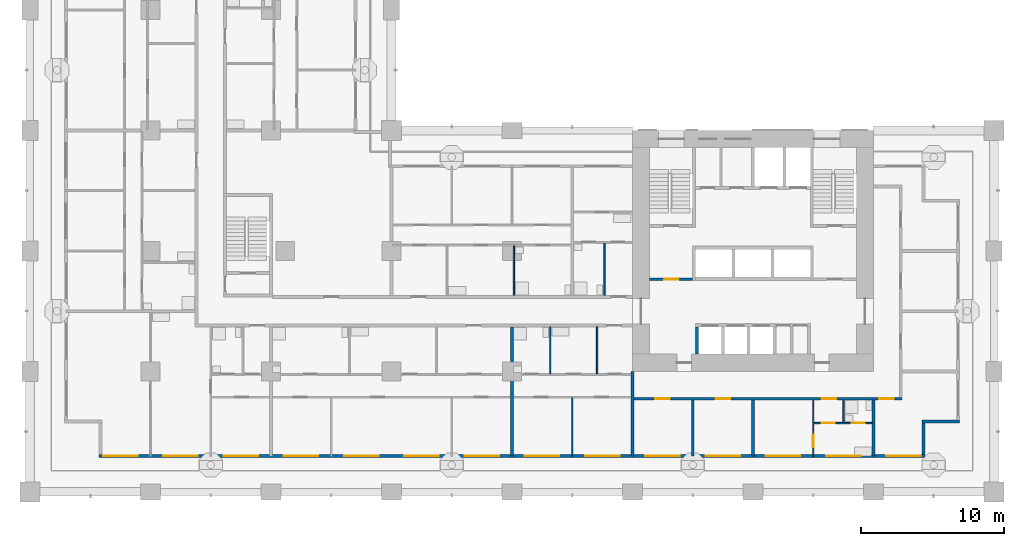
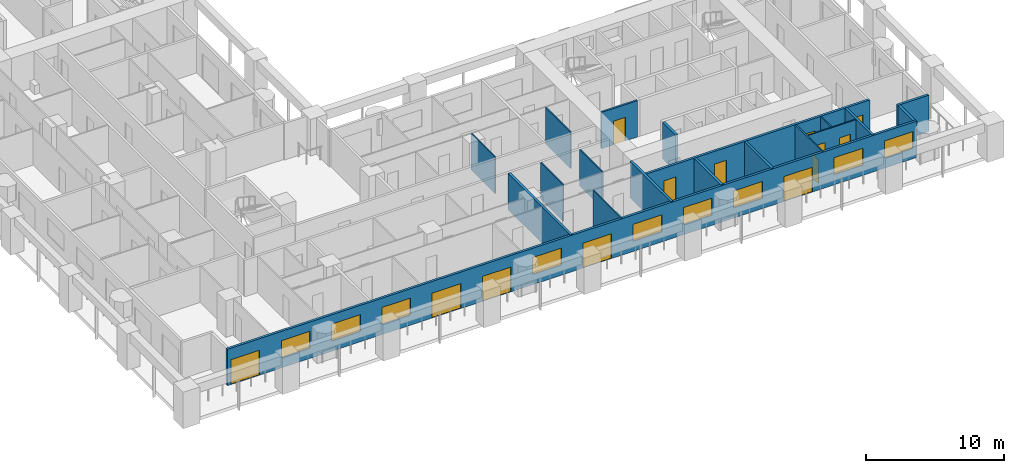
# One storey, part 5 of 20: 19 walls, 13 doors, 9 windows, 22 openings.
"""IFC4 building model written with IfcOpenShell, lengths in metres."""

from ifc_helpers import new_model, si_unit, direction, frame, frame_2d, origin, place, context, subcontext, project, spatial, rectangle, extrude, material, layer, layer_set, type_object, element, fill, save


model = new_model("IFC4")

# Units and contexts
model_context = context("Model", 3, precision=1e-05, world=origin(), true_north=direction((0.0, 1.0)))
body_context = subcontext(model_context, "Body", "Model", "MODEL_VIEW")
ifc_project = project(units=[si_unit("LENGTHUNIT", "METRE"), si_unit("AREAUNIT", "SQUARE_METRE"), si_unit("VOLUMEUNIT", "CUBIC_METRE"), si_unit("PLANEANGLEUNIT", "RADIAN"), si_unit("MASSUNIT", "GRAM", prefix="KILO")], contexts=[model_context])

# Site, building, storey
site_placement = place(None, origin())
site = spatial("IfcSite", under=ifc_project, at=site_placement, CompositionType="ELEMENT")
building_placement = place(site_placement, origin())
building = spatial("IfcBuilding", under=site, at=building_placement, Name="Vermilion Gate Residences", CompositionType="ELEMENT")
storey_placement = place(building_placement, frame((0.0, 0.0, 42.699951171875)))
storey = spatial("IfcBuildingStorey", under=building, at=storey_placement, Name="L09", CompositionType="ELEMENT", Elevation=42.699951171875)

# Wall, opening, door
ifc_material_1 = material(Name="Masonry blockwork", Category="masonry")
ifc_layer_1 = layer(ifc_material_1, 0.14990234375)
ifc_layer_set_1 = layer_set([ifc_layer_1], Name="BLOCKWORK PARTITION 150 EI 120")
wall_type_1 = type_object("IfcWallType", Name="BLOCKWORK PARTITION 150 EI 120", PredefinedType="PARTITIONING", material=ifc_layer_set_1)
wall_1_placement = place(storey_placement, frame((43.199951171875, 14.824951171875, 0.0), z_axis=(0.0, 0.0, 1.0), x_axis=(1.0, 0.0, 0.0)))
wall_1 = element("IfcWall", 1, at=wall_1_placement, inside=storey, type_object=wall_type_1, Name="Core room partition A09-VW-S", PredefinedType="PARTITIONING", context=body_context, shape_type="SweptSolid", body=[
    extrude(rectangle(XDim=3.0, YDim=0.14990234375, at=frame_2d((1.5, 0.0))), origin(), (0.0, 0.0, 1.0), 3.219970703125),
])
opening_1_placement = place(wall_1_placement, frame((1.0, 0.0, 0.0)))
opening_1 = element("IfcOpeningElement", 2, at=opening_1_placement, cuts=wall_1, Name="Opening DK09014", PredefinedType="OPENING", context=body_context, shape_type="SweptSolid", body=[
    extrude(rectangle(XDim=1.0, YDim=2.10009765625, at=frame_2d((0.5, 1.050048828125))), frame((0.0, 0.0849609375, 0.0), z_axis=(0.0, -1.0, 0.0), x_axis=(1.0, 0.0, 0.0)), (0.0, 0.0, 1.0), 0.169921875),
])
ifc_material_2 = material(Name="Steel", Category="steel")
door_type_1 = type_object("IfcDoorType", Name="FIRE DOOR FD60 1000 X 2100", OperationType="SINGLE_SWING_LEFT", PredefinedType="DOOR", material=ifc_material_2)
door_1_placement = place(opening_1_placement, frame((1.0, 0.0, 0.0), z_axis=(0.0, 0.0, 1.0), x_axis=(-1.0, 0.0, 0.0)))
door_1 = element("IfcDoor", 3, at=door_1_placement, inside=storey, type_object=door_type_1, Name="Stair vestibule door A09", OperationType="SINGLE_SWING_RIGHT", OverallHeight=2.10009765625, OverallWidth=1.0, PredefinedType="DOOR", context=body_context, shape_type="SweptSolid", body=[
    extrude(rectangle(XDim=1.0, YDim=2.10009765625, at=frame_2d((0.5, 1.050048828125))), frame((0.0, 0.02490234375, 0.0), z_axis=(0.0, -1.0, 0.0), x_axis=(1.0, 0.0, 0.0)), (0.0, 0.0, 1.0), 0.050048828125),
])
fill(opening_1, door_1)

# Wall, openings, doors, windows
ifc_material_3 = material(Name="Insulated steel stud wall with terracotta rainscreen", Category="masonry")
ifc_layer_2 = layer(ifc_material_3, 0.199951171875)
ifc_layer_set_2 = layer_set([ifc_layer_2], Name="EXTERNAL WALL 200 TERRACOTTA RAINSCREEN")
wall_type_2 = type_object("IfcWallType", Name="EXTERNAL WALL 200 TERRACOTTA RAINSCREEN", PredefinedType="SOLIDWALL", material=ifc_layer_set_2)
wall_2_placement = place(storey_placement, frame((4.800048828125, 2.5, 0.0), z_axis=(0.0, 0.0, 1.0), x_axis=(1.0, 0.0, 0.0)))
wall_2 = element("IfcWall", 4, at=wall_2_placement, inside=storey, type_object=wall_type_2, Name="External wall", PredefinedType="SOLIDWALL", context=body_context, shape_type="SweptSolid", body=[
    extrude(rectangle(XDim=57.599853515625, YDim=0.199951171875, at=frame_2d((28.7998046875, 0.0))), origin(), (0.0, 0.0, 1.0), 3.219970703125),
])
opening_2_placement = place(wall_2_placement, frame((0.300048828125, 0.0, 0.0)))
opening_2 = element("IfcOpeningElement", 5, at=opening_2_placement, cuts=wall_2, Name="Opening DE09014", PredefinedType="OPENING", context=body_context, shape_type="SweptSolid", body=[
    extrude(rectangle(XDim=2.39990234375, YDim=2.199951171875, at=frame_2d((1.199951171875, 1.10009765625))), frame((0.0, 0.10986328125, 0.0), z_axis=(0.0, -1.0, 0.0), x_axis=(1.0, 0.0, 0.0)), (0.0, 0.0, 1.0), 0.219970703125),
])
opening_3_placement = place(wall_2_placement, frame((4.5, 0.0, 0.89990234375)))
opening_3 = element("IfcOpeningElement", 6, at=opening_3_placement, cuts=wall_2, Name="Opening WE09015", PredefinedType="OPENING", context=body_context, shape_type="SweptSolid", body=[
    extrude(rectangle(XDim=2.39990234375, YDim=1.5, at=frame_2d((1.199951171875, 0.75))), frame((0.0, 0.10986328125, 0.0), z_axis=(0.0, -1.0, 0.0), x_axis=(1.0, 0.0, 0.0)), (0.0, 0.0, 1.0), 0.219970703125),
])
opening_4_placement = place(wall_2_placement, frame((8.699951171875, 0.0, 0.89990234375)))
opening_4 = element("IfcOpeningElement", 7, at=opening_4_placement, cuts=wall_2, Name="Opening WE09016", PredefinedType="OPENING", context=body_context, shape_type="SweptSolid", body=[
    extrude(rectangle(XDim=2.39990234375, YDim=1.5, at=frame_2d((1.199951171875, 0.75))), frame((0.0, 0.10986328125, 0.0), z_axis=(0.0, -1.0, 0.0), x_axis=(1.0, 0.0, 0.0)), (0.0, 0.0, 1.0), 0.219970703125),
])
opening_5_placement = place(wall_2_placement, frame((12.89990234375, 0.0, 0.89990234375)))
opening_5 = element("IfcOpeningElement", 8, at=opening_5_placement, cuts=wall_2, Name="Opening WE09017", PredefinedType="OPENING", context=body_context, shape_type="SweptSolid", body=[
    extrude(rectangle(XDim=2.39990234375, YDim=1.5, at=frame_2d((1.199951171875, 0.75))), frame((0.0, 0.10986328125, 0.0), z_axis=(0.0, -1.0, 0.0), x_axis=(1.0, 0.0, 0.0)), (0.0, 0.0, 1.0), 0.219970703125),
])
opening_6_placement = place(wall_2_placement, frame((17.10009765625, 0.0, 0.0)))
opening_6 = element("IfcOpeningElement", 9, at=opening_6_placement, cuts=wall_2, Name="Opening DE09018", PredefinedType="OPENING", context=body_context, shape_type="SweptSolid", body=[
    extrude(rectangle(XDim=2.39990234375, YDim=2.199951171875, at=frame_2d((1.199951171875, 1.10009765625))), frame((0.0, 0.10986328125, 0.0), z_axis=(0.0, -1.0, 0.0), x_axis=(1.0, 0.0, 0.0)), (0.0, 0.0, 1.0), 0.219970703125),
])
opening_7_placement = place(wall_2_placement, frame((21.300048828125, 0.0, 0.0)))
opening_7 = element("IfcOpeningElement", 10, at=opening_7_placement, cuts=wall_2, Name="Opening DE09019", PredefinedType="OPENING", context=body_context, shape_type="SweptSolid", body=[
    extrude(rectangle(XDim=2.39990234375, YDim=2.199951171875, at=frame_2d((1.199951171875, 1.10009765625))), frame((0.0, 0.10986328125, 0.0), z_axis=(0.0, -1.0, 0.0), x_axis=(1.0, 0.0, 0.0)), (0.0, 0.0, 1.0), 0.219970703125),
])
opening_8_placement = place(wall_2_placement, frame((25.5, 0.0, 0.89990234375)))
opening_8 = element("IfcOpeningElement", 11, at=opening_8_placement, cuts=wall_2, Name="Opening WE09020", PredefinedType="OPENING", context=body_context, shape_type="SweptSolid", body=[
    extrude(rectangle(XDim=2.39990234375, YDim=1.5, at=frame_2d((1.199951171875, 0.75))), frame((0.0, 0.10986328125, 0.0), z_axis=(0.0, -1.0, 0.0), x_axis=(1.0, 0.0, 0.0)), (0.0, 0.0, 1.0), 0.219970703125),
])
opening_9_placement = place(wall_2_placement, frame((29.699951171875, 0.0, 0.0)))
opening_9 = element("IfcOpeningElement", 12, at=opening_9_placement, cuts=wall_2, Name="Opening DE09021", PredefinedType="OPENING", context=body_context, shape_type="SweptSolid", body=[
    extrude(rectangle(XDim=2.39990234375, YDim=2.199951171875, at=frame_2d((1.199951171875, 1.10009765625))), frame((0.0, 0.10986328125, 0.0), z_axis=(0.0, -1.0, 0.0), x_axis=(1.0, 0.0, 0.0)), (0.0, 0.0, 1.0), 0.219970703125),
])
opening_10_placement = place(wall_2_placement, frame((33.89990234375, 0.0, 0.89990234375)))
opening_10 = element("IfcOpeningElement", 13, at=opening_10_placement, cuts=wall_2, Name="Opening WE09022", PredefinedType="OPENING", context=body_context, shape_type="SweptSolid", body=[
    extrude(rectangle(XDim=2.39990234375, YDim=1.5, at=frame_2d((1.199951171875, 0.75))), frame((0.0, 0.10986328125, 0.0), z_axis=(0.0, -1.0, 0.0), x_axis=(1.0, 0.0, 0.0)), (0.0, 0.0, 1.0), 0.219970703125),
])
opening_11_placement = place(wall_2_placement, frame((38.10009765625, 0.0, 0.89990234375)))
opening_11 = element("IfcOpeningElement", 14, at=opening_11_placement, cuts=wall_2, Name="Opening WE09023", PredefinedType="OPENING", context=body_context, shape_type="SweptSolid", body=[
    extrude(rectangle(XDim=2.39990234375, YDim=1.5, at=frame_2d((1.199951171875, 0.75))), frame((0.0, 0.10986328125, 0.0), z_axis=(0.0, -1.0, 0.0), x_axis=(1.0, 0.0, 0.0)), (0.0, 0.0, 1.0), 0.219970703125),
])
opening_12_placement = place(wall_2_placement, frame((42.300048828125, 0.0, 0.89990234375)))
opening_12 = element("IfcOpeningElement", 15, at=opening_12_placement, cuts=wall_2, Name="Opening WE09024", PredefinedType="OPENING", context=body_context, shape_type="SweptSolid", body=[
    extrude(rectangle(XDim=2.39990234375, YDim=1.5, at=frame_2d((1.199951171875, 0.75))), frame((0.0, 0.10986328125, 0.0), z_axis=(0.0, -1.0, 0.0), x_axis=(1.0, 0.0, 0.0)), (0.0, 0.0, 1.0), 0.219970703125),
])
opening_13_placement = place(wall_2_placement, frame((46.5, 0.0, 0.0)))
opening_13 = element("IfcOpeningElement", 16, at=opening_13_placement, cuts=wall_2, Name="Opening DE09025", PredefinedType="OPENING", context=body_context, shape_type="SweptSolid", body=[
    extrude(rectangle(XDim=2.39990234375, YDim=2.199951171875, at=frame_2d((1.199951171875, 1.10009765625))), frame((0.0, 0.10986328125, 0.0), z_axis=(0.0, -1.0, 0.0), x_axis=(1.0, 0.0, 0.0)), (0.0, 0.0, 1.0), 0.219970703125),
])
opening_14_placement = place(wall_2_placement, frame((50.699951171875, 0.0, 0.89990234375)))
opening_14 = element("IfcOpeningElement", 17, at=opening_14_placement, cuts=wall_2, Name="Opening WE09026", PredefinedType="OPENING", context=body_context, shape_type="SweptSolid", body=[
    extrude(rectangle(XDim=2.39990234375, YDim=1.5, at=frame_2d((1.199951171875, 0.75))), frame((0.0, 0.10986328125, 0.0), z_axis=(0.0, -1.0, 0.0), x_axis=(1.0, 0.0, 0.0)), (0.0, 0.0, 1.0), 0.219970703125),
])
opening_15_placement = place(wall_2_placement, frame((54.89990234375, 0.0, 0.89990234375)))
opening_15 = element("IfcOpeningElement", 18, at=opening_15_placement, cuts=wall_2, Name="Opening WE09027", PredefinedType="OPENING", context=body_context, shape_type="SweptSolid", body=[
    extrude(rectangle(XDim=2.39990234375, YDim=1.5, at=frame_2d((1.199951171875, 0.75))), frame((0.0, 0.10986328125, 0.0), z_axis=(0.0, -1.0, 0.0), x_axis=(1.0, 0.0, 0.0)), (0.0, 0.0, 1.0), 0.219970703125),
])
ifc_material_4 = material(Name="Aluminium and clear glass", Category="aluminium")
door_type_2 = type_object("IfcDoorType", Name="SLIDING GLAZED DOOR 2400 X 2200", OperationType="DOUBLE_DOOR_SLIDING", PredefinedType="DOOR", material=ifc_material_4)
door_2_placement = place(opening_2_placement, origin())
door_2 = element("IfcDoor", 19, at=door_2_placement, inside=storey, type_object=door_type_2, Name="Loggia sliding door", OperationType="DOUBLE_DOOR_SLIDING", OverallHeight=2.199951171875, OverallWidth=2.39990234375, PredefinedType="DOOR", context=body_context, shape_type="SweptSolid", body=[
    extrude(rectangle(XDim=2.39990234375, YDim=2.199951171875, at=frame_2d((1.199951171875, 1.10009765625))), frame((0.0, 0.02490234375, 0.0), z_axis=(0.0, -1.0, 0.0), x_axis=(1.0, 0.0, 0.0)), (0.0, 0.0, 1.0), 0.050048828125),
])
fill(opening_2, door_2)
door_3_placement = place(opening_6_placement, origin())
door_3 = element("IfcDoor", 20, at=door_3_placement, inside=storey, type_object=door_type_2, Name="Loggia sliding door", OperationType="DOUBLE_DOOR_SLIDING", OverallHeight=2.199951171875, OverallWidth=2.39990234375, PredefinedType="DOOR", context=body_context, shape_type="SweptSolid", body=[
    extrude(rectangle(XDim=2.39990234375, YDim=2.199951171875, at=frame_2d((1.199951171875, 1.10009765625))), frame((0.0, 0.02490234375, 0.0), z_axis=(0.0, -1.0, 0.0), x_axis=(1.0, 0.0, 0.0)), (0.0, 0.0, 1.0), 0.050048828125),
])
fill(opening_6, door_3)
door_4_placement = place(opening_7_placement, origin())
door_4 = element("IfcDoor", 21, at=door_4_placement, inside=storey, type_object=door_type_2, Name="Loggia sliding door", OperationType="DOUBLE_DOOR_SLIDING", OverallHeight=2.199951171875, OverallWidth=2.39990234375, PredefinedType="DOOR", context=body_context, shape_type="SweptSolid", body=[
    extrude(rectangle(XDim=2.39990234375, YDim=2.199951171875, at=frame_2d((1.199951171875, 1.10009765625))), frame((0.0, 0.02490234375, 0.0), z_axis=(0.0, -1.0, 0.0), x_axis=(1.0, 0.0, 0.0)), (0.0, 0.0, 1.0), 0.050048828125),
])
fill(opening_7, door_4)
door_5_placement = place(opening_9_placement, origin())
door_5 = element("IfcDoor", 22, at=door_5_placement, inside=storey, type_object=door_type_2, Name="Loggia sliding door", OperationType="DOUBLE_DOOR_SLIDING", OverallHeight=2.199951171875, OverallWidth=2.39990234375, PredefinedType="DOOR", context=body_context, shape_type="SweptSolid", body=[
    extrude(rectangle(XDim=2.39990234375, YDim=2.199951171875, at=frame_2d((1.199951171875, 1.10009765625))), frame((0.0, 0.02490234375, 0.0), z_axis=(0.0, -1.0, 0.0), x_axis=(1.0, 0.0, 0.0)), (0.0, 0.0, 1.0), 0.050048828125),
])
fill(opening_9, door_5)
door_6_placement = place(opening_13_placement, origin())
door_6 = element("IfcDoor", 23, at=door_6_placement, inside=storey, type_object=door_type_2, Name="Loggia sliding door", OperationType="DOUBLE_DOOR_SLIDING", OverallHeight=2.199951171875, OverallWidth=2.39990234375, PredefinedType="DOOR", context=body_context, shape_type="SweptSolid", body=[
    extrude(rectangle(XDim=2.39990234375, YDim=2.199951171875, at=frame_2d((1.199951171875, 1.10009765625))), frame((0.0, 0.02490234375, 0.0), z_axis=(0.0, -1.0, 0.0), x_axis=(1.0, 0.0, 0.0)), (0.0, 0.0, 1.0), 0.050048828125),
])
fill(opening_13, door_6)
ifc_material_5 = material(Name="Aluminium and clear glass", Category="aluminium")
window_type = type_object("IfcWindowType", Name="WINDOW 2400 X 1500", PartitioningType="SINGLE_PANEL", PredefinedType="WINDOW", material=ifc_material_5)
window_1_placement = place(opening_3_placement, origin())
window_1 = element("IfcWindow", 24, at=window_1_placement, inside=storey, type_object=window_type, Name="Window", OverallHeight=1.5, OverallWidth=2.39990234375, PartitioningType="SINGLE_PANEL", PredefinedType="WINDOW", context=body_context, shape_type="SweptSolid", body=[
    extrude(rectangle(XDim=2.39990234375, YDim=1.5, at=frame_2d((1.199951171875, 0.75))), frame((0.0, 0.030029296875, 0.0), z_axis=(0.0, -1.0, 0.0), x_axis=(1.0, 0.0, 0.0)), (0.0, 0.0, 1.0), 0.06005859375),
])
fill(opening_3, window_1)
window_2_placement = place(opening_4_placement, origin())
window_2 = element("IfcWindow", 25, at=window_2_placement, inside=storey, type_object=window_type, Name="Window", OverallHeight=1.5, OverallWidth=2.39990234375, PartitioningType="SINGLE_PANEL", PredefinedType="WINDOW", context=body_context, shape_type="SweptSolid", body=[
    extrude(rectangle(XDim=2.39990234375, YDim=1.5, at=frame_2d((1.199951171875, 0.75))), frame((0.0, 0.030029296875, 0.0), z_axis=(0.0, -1.0, 0.0), x_axis=(1.0, 0.0, 0.0)), (0.0, 0.0, 1.0), 0.06005859375),
])
fill(opening_4, window_2)
window_3_placement = place(opening_5_placement, origin())
window_3 = element("IfcWindow", 26, at=window_3_placement, inside=storey, type_object=window_type, Name="Window", OverallHeight=1.5, OverallWidth=2.39990234375, PartitioningType="SINGLE_PANEL", PredefinedType="WINDOW", context=body_context, shape_type="SweptSolid", body=[
    extrude(rectangle(XDim=2.39990234375, YDim=1.5, at=frame_2d((1.199951171875, 0.75))), frame((0.0, 0.030029296875, 0.0), z_axis=(0.0, -1.0, 0.0), x_axis=(1.0, 0.0, 0.0)), (0.0, 0.0, 1.0), 0.06005859375),
])
fill(opening_5, window_3)
window_4_placement = place(opening_8_placement, origin())
window_4 = element("IfcWindow", 27, at=window_4_placement, inside=storey, type_object=window_type, Name="Window", OverallHeight=1.5, OverallWidth=2.39990234375, PartitioningType="SINGLE_PANEL", PredefinedType="WINDOW", context=body_context, shape_type="SweptSolid", body=[
    extrude(rectangle(XDim=2.39990234375, YDim=1.5, at=frame_2d((1.199951171875, 0.75))), frame((0.0, 0.030029296875, 0.0), z_axis=(0.0, -1.0, 0.0), x_axis=(1.0, 0.0, 0.0)), (0.0, 0.0, 1.0), 0.06005859375),
])
fill(opening_8, window_4)
window_5_placement = place(opening_10_placement, origin())
window_5 = element("IfcWindow", 28, at=window_5_placement, inside=storey, type_object=window_type, Name="Window", OverallHeight=1.5, OverallWidth=2.39990234375, PartitioningType="SINGLE_PANEL", PredefinedType="WINDOW", context=body_context, shape_type="SweptSolid", body=[
    extrude(rectangle(XDim=2.39990234375, YDim=1.5, at=frame_2d((1.199951171875, 0.75))), frame((0.0, 0.030029296875, 0.0), z_axis=(0.0, -1.0, 0.0), x_axis=(1.0, 0.0, 0.0)), (0.0, 0.0, 1.0), 0.06005859375),
])
fill(opening_10, window_5)
window_6_placement = place(opening_11_placement, origin())
window_6 = element("IfcWindow", 29, at=window_6_placement, inside=storey, type_object=window_type, Name="Window", OverallHeight=1.5, OverallWidth=2.39990234375, PartitioningType="SINGLE_PANEL", PredefinedType="WINDOW", context=body_context, shape_type="SweptSolid", body=[
    extrude(rectangle(XDim=2.39990234375, YDim=1.5, at=frame_2d((1.199951171875, 0.75))), frame((0.0, 0.030029296875, 0.0), z_axis=(0.0, -1.0, 0.0), x_axis=(1.0, 0.0, 0.0)), (0.0, 0.0, 1.0), 0.06005859375),
])
fill(opening_11, window_6)
window_7_placement = place(opening_12_placement, origin())
window_7 = element("IfcWindow", 30, at=window_7_placement, inside=storey, type_object=window_type, Name="Window", OverallHeight=1.5, OverallWidth=2.39990234375, PartitioningType="SINGLE_PANEL", PredefinedType="WINDOW", context=body_context, shape_type="SweptSolid", body=[
    extrude(rectangle(XDim=2.39990234375, YDim=1.5, at=frame_2d((1.199951171875, 0.75))), frame((0.0, 0.030029296875, 0.0), z_axis=(0.0, -1.0, 0.0), x_axis=(1.0, 0.0, 0.0)), (0.0, 0.0, 1.0), 0.06005859375),
])
fill(opening_12, window_7)
window_8_placement = place(opening_14_placement, origin())
window_8 = element("IfcWindow", 31, at=window_8_placement, inside=storey, type_object=window_type, Name="Window", OverallHeight=1.5, OverallWidth=2.39990234375, PartitioningType="SINGLE_PANEL", PredefinedType="WINDOW", context=body_context, shape_type="SweptSolid", body=[
    extrude(rectangle(XDim=2.39990234375, YDim=1.5, at=frame_2d((1.199951171875, 0.75))), frame((0.0, 0.030029296875, 0.0), z_axis=(0.0, -1.0, 0.0), x_axis=(1.0, 0.0, 0.0)), (0.0, 0.0, 1.0), 0.06005859375),
])
fill(opening_14, window_8)
window_9_placement = place(opening_15_placement, origin())
window_9 = element("IfcWindow", 32, at=window_9_placement, inside=storey, type_object=window_type, Name="Window", OverallHeight=1.5, OverallWidth=2.39990234375, PartitioningType="SINGLE_PANEL", PredefinedType="WINDOW", context=body_context, shape_type="SweptSolid", body=[
    extrude(rectangle(XDim=2.39990234375, YDim=1.5, at=frame_2d((1.199951171875, 0.75))), frame((0.0, 0.030029296875, 0.0), z_axis=(0.0, -1.0, 0.0), x_axis=(1.0, 0.0, 0.0)), (0.0, 0.0, 1.0), 0.06005859375),
])
fill(opening_15, window_9)

# Walls
wall_3_placement = place(storey_placement, frame((62.300048828125, 2.60009765625, 0.0), z_axis=(0.0, 0.0, 1.0), x_axis=(0.0, 1.0, 0.0)))
element("IfcWall", 33, at=wall_3_placement, inside=storey, type_object=wall_type_2, Name="External wall", PredefinedType="SOLIDWALL", context=body_context, shape_type="SweptSolid", body=[
    extrude(rectangle(XDim=2.199951171875, YDim=0.199951171875, at=frame_2d((1.10009765625, 0.0))), origin(), (0.0, 0.0, 1.0), 3.219970703125),
])
wall_4_placement = place(storey_placement, frame((62.199951171875, 4.89990234375, 0.0), z_axis=(0.0, 0.0, 1.0), x_axis=(1.0, 0.0, 0.0)))
element("IfcWall", 34, at=wall_4_placement, inside=storey, type_object=wall_type_2, Name="External wall", PredefinedType="SOLIDWALL", context=body_context, shape_type="SweptSolid", body=[
    extrude(rectangle(XDim=2.60009765625, YDim=0.199951171875, at=frame_2d((1.300048828125, 0.0))), origin(), (0.0, 0.0, 1.0), 3.219970703125),
])

# Wall, openings, doors
ifc_material_6 = material(Name="Plasterboard on steel studs", Category="steel")
ifc_layer_3 = layer(ifc_material_6, 0.10009765625)
ifc_layer_set_3 = layer_set([ifc_layer_3], Name="PARTITION 100")
wall_type_3 = type_object("IfcWallType", Name="PARTITION 100", PredefinedType="PARTITIONING", material=ifc_layer_set_3)
wall_5_placement = place(storey_placement, frame((54.64990234375, 4.800048828125, 0.0), z_axis=(0.0, 0.0, 1.0), x_axis=(1.0, 0.0, 0.0)))
wall_5 = element("IfcWall", 35, at=wall_5_placement, inside=storey, type_object=wall_type_3, Name="Partition", PredefinedType="PARTITIONING", context=body_context, shape_type="SweptSolid", body=[
    extrude(rectangle(XDim=4.050048828125, YDim=0.10009765625, at=frame_2d((2.02490234375, 0.0))), origin(), (0.0, 0.0, 1.0), 3.219970703125),
])
opening_16_placement = place(wall_5_placement, frame((0.550048828125, 0.0, 0.0)))
opening_16 = element("IfcOpeningElement", 36, at=opening_16_placement, cuts=wall_5, Name="Opening DA07001", PredefinedType="OPENING", context=body_context, shape_type="SweptSolid", body=[
    extrude(rectangle(XDim=0.89990234375, YDim=2.10009765625, at=frame_2d((0.449951171875, 1.050048828125))), frame((0.0, 0.06005859375, 0.0), z_axis=(0.0, -1.0, 0.0), x_axis=(1.0, 0.0, 0.0)), (0.0, 0.0, 1.0), 0.1201171875),
])
opening_17_placement = place(wall_5_placement, frame((2.64990234375, 0.0, 0.0)))
opening_17 = element("IfcOpeningElement", 37, at=opening_17_placement, cuts=wall_5, Name="Opening DA07002", PredefinedType="OPENING", context=body_context, shape_type="SweptSolid", body=[
    extrude(rectangle(XDim=0.89990234375, YDim=2.10009765625, at=frame_2d((0.449951171875, 1.050048828125))), frame((0.0, 0.06005859375, 0.0), z_axis=(0.0, -1.0, 0.0), x_axis=(1.0, 0.0, 0.0)), (0.0, 0.0, 1.0), 0.1201171875),
])
ifc_material_7 = material(Name="Timber", Category="wood")
door_type_3 = type_object("IfcDoorType", Name="INTERIOR DOOR 900 X 2100", OperationType="SINGLE_SWING_LEFT", PredefinedType="DOOR", material=ifc_material_7)
door_7_placement = place(opening_16_placement, frame((0.89990234375, 0.0, 0.0), z_axis=(0.0, 0.0, 1.0), x_axis=(-1.0, 0.0, 0.0)))
door_7 = element("IfcDoor", 38, at=door_7_placement, inside=storey, type_object=door_type_3, Name="Interior door", OperationType="SINGLE_SWING_RIGHT", OverallHeight=2.10009765625, OverallWidth=0.89990234375, PredefinedType="DOOR", context=body_context, shape_type="SweptSolid", body=[
    extrude(rectangle(XDim=0.89990234375, YDim=2.10009765625, at=frame_2d((0.449951171875, 1.050048828125))), frame((0.0, 0.02490234375, 0.0), z_axis=(0.0, -1.0, 0.0), x_axis=(1.0, 0.0, 0.0)), (0.0, 0.0, 1.0), 0.050048828125),
])
fill(opening_16, door_7)
door_8_placement = place(opening_17_placement, origin())
door_8 = element("IfcDoor", 39, at=door_8_placement, inside=storey, type_object=door_type_3, Name="Interior door", OperationType="SINGLE_SWING_RIGHT", OverallHeight=2.10009765625, OverallWidth=0.89990234375, PredefinedType="DOOR", context=body_context, shape_type="SweptSolid", body=[
    extrude(rectangle(XDim=0.89990234375, YDim=2.10009765625, at=frame_2d((0.449951171875, 1.050048828125))), frame((0.0, 0.02490234375, 0.0), z_axis=(0.0, -1.0, 0.0), x_axis=(1.0, 0.0, 0.0)), (0.0, 0.0, 1.0), 0.050048828125),
])
fill(opening_17, door_8)

# Walls
wall_6_placement = place(storey_placement, frame((33.73291015625, 13.699951171875, 0.0), z_axis=(0.0, 0.0, 1.0), x_axis=(0.0, 1.0, 0.0)))
element("IfcWall", 40, at=wall_6_placement, inside=storey, type_object=wall_type_3, Name="Partition", PredefinedType="PARTITIONING", context=body_context, shape_type="SweptSolid", body=[
    extrude(rectangle(XDim=3.449951171875, YDim=0.10009765625, at=frame_2d((1.72509765625, 0.0))), origin(), (0.0, 0.0, 1.0), 3.219970703125),
])
wall_7_placement = place(storey_placement, frame((36.26708984375, 8.25, 0.0), z_axis=(0.0, 0.0, 1.0), x_axis=(0.0, 1.0, 0.0)))
element("IfcWall", 41, at=wall_7_placement, inside=storey, type_object=wall_type_3, Name="Partition", PredefinedType="PARTITIONING", context=body_context, shape_type="SweptSolid", body=[
    extrude(rectangle(XDim=3.25, YDim=0.10009765625, at=frame_2d((1.625, 0.0))), origin(), (0.0, 0.0, 1.0), 3.219970703125),
])
wall_8_placement = place(storey_placement, frame((37.800048828125, 2.5, 0.0), z_axis=(0.0, 0.0, 1.0), x_axis=(0.0, 1.0, 0.0)))
element("IfcWall", 42, at=wall_8_placement, inside=storey, type_object=wall_type_3, Name="Partition", PredefinedType="PARTITIONING", context=body_context, shape_type="SweptSolid", body=[
    extrude(rectangle(XDim=4.050048828125, YDim=0.10009765625, at=frame_2d((2.02490234375, 0.0))), origin(), (0.0, 0.0, 1.0), 3.219970703125),
])
wall_9_placement = place(storey_placement, frame((39.532958984375, 8.25, 0.0), z_axis=(0.0, 0.0, 1.0), x_axis=(0.0, 1.0, 0.0)))
element("IfcWall", 43, at=wall_9_placement, inside=storey, type_object=wall_type_3, Name="Partition", PredefinedType="PARTITIONING", context=body_context, shape_type="SweptSolid", body=[
    extrude(rectangle(XDim=3.25, YDim=0.10009765625, at=frame_2d((1.625, 0.0))), origin(), (0.0, 0.0, 1.0), 3.219970703125),
])
wall_10_placement = place(storey_placement, frame((40.0400390625, 13.699951171875, 0.0), z_axis=(0.0, 0.0, 1.0), x_axis=(0.0, 1.0, 0.0)))
element("IfcWall", 44, at=wall_10_placement, inside=storey, type_object=wall_type_3, Name="Partition", PredefinedType="PARTITIONING", context=body_context, shape_type="SweptSolid", body=[
    extrude(rectangle(XDim=3.650146484375, YDim=0.10009765625, at=frame_2d((1.8251953125, 0.0))), origin(), (0.0, 0.0, 1.0), 3.219970703125),
])

# Wall, opening, door
wall_11_placement = place(storey_placement, frame((54.60009765625, 2.5, 0.0), z_axis=(0.0, 0.0, 1.0), x_axis=(0.0, 1.0, 0.0)))
wall_11 = element("IfcWall", 45, at=wall_11_placement, inside=storey, type_object=wall_type_3, Name="Partition", PredefinedType="PARTITIONING", context=body_context, shape_type="SweptSolid", body=[
    extrude(rectangle(XDim=3.89990234375, YDim=0.10009765625, at=frame_2d((1.949951171875, 0.0))), origin(), (0.0, 0.0, 1.0), 3.219970703125),
])
opening_18_placement = place(wall_11_placement, frame((0.60009765625, 0.0, 0.0)))
opening_18 = element("IfcOpeningElement", 46, at=opening_18_placement, cuts=wall_11, Name="Opening DA07065", PredefinedType="OPENING", context=body_context, shape_type="SweptSolid", body=[
    extrude(rectangle(XDim=0.89990234375, YDim=2.10009765625, at=frame_2d((0.449951171875, 1.050048828125))), frame((0.0, 0.06005859375, 0.0), z_axis=(0.0, -1.0, 0.0), x_axis=(1.0, 0.0, 0.0)), (0.0, 0.0, 1.0), 0.1201171875),
])
door_9_placement = place(opening_18_placement, frame((0.89990234375, 0.0, 0.0), z_axis=(0.0, 0.0, 1.0), x_axis=(-1.0, 0.0, 0.0)))
door_9 = element("IfcDoor", 47, at=door_9_placement, inside=storey, type_object=door_type_3, Name="Interior door", OperationType="SINGLE_SWING_RIGHT", OverallHeight=2.10009765625, OverallWidth=0.89990234375, PredefinedType="DOOR", context=body_context, shape_type="SweptSolid", body=[
    extrude(rectangle(XDim=0.89990234375, YDim=2.10009765625, at=frame_2d((0.449951171875, 1.050048828125))), frame((0.0, 0.02490234375, 0.0), z_axis=(0.0, -1.0, 0.0), x_axis=(1.0, 0.0, 0.0)), (0.0, 0.0, 1.0), 0.050048828125),
])
fill(opening_18, door_9)

# Wall
wall_12_placement = place(storey_placement, frame((56.699951171875, 4.85009765625, 0.0), z_axis=(0.0, 0.0, 1.0), x_axis=(0.0, 1.0, 0.0)))
element("IfcWall", 48, at=wall_12_placement, inside=storey, type_object=wall_type_3, Name="Partition", PredefinedType="PARTITIONING", context=body_context, shape_type="SweptSolid", body=[
    extrude(rectangle(XDim=1.5498046875, YDim=0.10009765625, at=frame_2d((0.77490234375, 0.0))), origin(), (0.0, 0.0, 1.0), 3.219970703125),
])

# Wall, openings, doors
ifc_material_8 = material(Name="Fire-rated plasterboard on steel studs", Category="steel")
ifc_layer_4 = layer(ifc_material_8, 0.199951171875)
ifc_layer_set_4 = layer_set([ifc_layer_4], Name="PARTY WALL 200 EI 120")
wall_type_4 = type_object("IfcWallType", Name="PARTY WALL 200 EI 120", PredefinedType="PARTITIONING", material=ifc_layer_set_4)
wall_13_placement = place(storey_placement, frame((42.10009765625, 6.5, 0.0), z_axis=(0.0, 0.0, 1.0), x_axis=(1.0, 0.0, 0.0)))
wall_13 = element("IfcWall", 49, at=wall_13_placement, inside=storey, type_object=wall_type_4, Name="Party and corridor wall", PredefinedType="PARTITIONING", context=body_context, shape_type="SweptSolid", body=[
    extrude(rectangle(XDim=18.699951171875, YDim=0.199951171875, at=frame_2d((9.35009765625, 0.0))), origin(), (0.0, 0.0, 1.0), 3.219970703125),
])
opening_19_placement = place(wall_13_placement, frame((1.5, 0.0, 0.0)))
opening_19 = element("IfcOpeningElement", 50, at=opening_19_placement, cuts=wall_13, Name="Opening DA07003", PredefinedType="OPENING", context=body_context, shape_type="SweptSolid", body=[
    extrude(rectangle(XDim=1.0, YDim=2.10009765625, at=frame_2d((0.5, 1.050048828125))), frame((0.0, 0.10986328125, 0.0), z_axis=(0.0, -1.0, 0.0), x_axis=(1.0, 0.0, 0.0)), (0.0, 0.0, 1.0), 0.219970703125),
])
opening_20_placement = place(wall_13_placement, frame((5.699951171875, 0.0, 0.0)))
opening_20 = element("IfcOpeningElement", 51, at=opening_20_placement, cuts=wall_13, Name="Opening DA07004", PredefinedType="OPENING", context=body_context, shape_type="SweptSolid", body=[
    extrude(rectangle(XDim=1.0, YDim=2.10009765625, at=frame_2d((0.5, 1.050048828125))), frame((0.0, 0.10986328125, 0.0), z_axis=(0.0, -1.0, 0.0), x_axis=(1.0, 0.0, 0.0)), (0.0, 0.0, 1.0), 0.219970703125),
])
opening_21_placement = place(wall_13_placement, frame((13.10009765625, 0.0, 0.0)))
opening_21 = element("IfcOpeningElement", 52, at=opening_21_placement, cuts=wall_13, Name="Opening DA07005", PredefinedType="OPENING", context=body_context, shape_type="SweptSolid", body=[
    extrude(rectangle(XDim=1.0, YDim=2.10009765625, at=frame_2d((0.5, 1.050048828125))), frame((0.0, 0.10986328125, 0.0), z_axis=(0.0, -1.0, 0.0), x_axis=(1.0, 0.0, 0.0)), (0.0, 0.0, 1.0), 0.219970703125),
])
opening_22_placement = place(wall_13_placement, frame((17.10009765625, 0.0, 0.0)))
opening_22 = element("IfcOpeningElement", 53, at=opening_22_placement, cuts=wall_13, Name="Opening DA07006", PredefinedType="OPENING", context=body_context, shape_type="SweptSolid", body=[
    extrude(rectangle(XDim=1.0, YDim=2.10009765625, at=frame_2d((0.5, 1.050048828125))), frame((0.0, 0.10986328125, 0.0), z_axis=(0.0, -1.0, 0.0), x_axis=(1.0, 0.0, 0.0)), (0.0, 0.0, 1.0), 0.219970703125),
])
ifc_material_9 = material(Name="Steel", Category="steel")
door_type_4 = type_object("IfcDoorType", Name="ENTRANCE DOOR 1000 X 2100 FD30", OperationType="SINGLE_SWING_LEFT", PredefinedType="DOOR", material=ifc_material_9)
door_10_placement = place(opening_19_placement, frame((1.0, 0.0, 0.0), z_axis=(0.0, 0.0, 1.0), x_axis=(-1.0, 0.0, 0.0)))
door_10 = element("IfcDoor", 54, at=door_10_placement, inside=storey, type_object=door_type_4, Name="Entrance door", OperationType="SINGLE_SWING_RIGHT", OverallHeight=2.10009765625, OverallWidth=1.0, PredefinedType="DOOR", context=body_context, shape_type="SweptSolid", body=[
    extrude(rectangle(XDim=1.0, YDim=2.10009765625, at=frame_2d((0.5, 1.050048828125))), frame((0.0, 0.02490234375, 0.0), z_axis=(0.0, -1.0, 0.0), x_axis=(1.0, 0.0, 0.0)), (0.0, 0.0, 1.0), 0.050048828125),
])
fill(opening_19, door_10)
door_11_placement = place(opening_20_placement, frame((1.0, 0.0, 0.0), z_axis=(0.0, 0.0, 1.0), x_axis=(-1.0, 0.0, 0.0)))
door_11 = element("IfcDoor", 55, at=door_11_placement, inside=storey, type_object=door_type_4, Name="Entrance door", OperationType="SINGLE_SWING_LEFT", OverallHeight=2.10009765625, OverallWidth=1.0, PredefinedType="DOOR", context=body_context, shape_type="SweptSolid", body=[
    extrude(rectangle(XDim=1.0, YDim=2.10009765625, at=frame_2d((0.5, 1.050048828125))), frame((0.0, 0.02490234375, 0.0), z_axis=(0.0, -1.0, 0.0), x_axis=(1.0, 0.0, 0.0)), (0.0, 0.0, 1.0), 0.050048828125),
])
fill(opening_20, door_11)
door_12_placement = place(opening_21_placement, frame((1.0, 0.0, 0.0), z_axis=(0.0, 0.0, 1.0), x_axis=(-1.0, 0.0, 0.0)))
door_12 = element("IfcDoor", 56, at=door_12_placement, inside=storey, type_object=door_type_4, Name="Entrance door", OperationType="SINGLE_SWING_LEFT", OverallHeight=2.10009765625, OverallWidth=1.0, PredefinedType="DOOR", context=body_context, shape_type="SweptSolid", body=[
    extrude(rectangle(XDim=1.0, YDim=2.10009765625, at=frame_2d((0.5, 1.050048828125))), frame((0.0, 0.02490234375, 0.0), z_axis=(0.0, -1.0, 0.0), x_axis=(1.0, 0.0, 0.0)), (0.0, 0.0, 1.0), 0.050048828125),
])
fill(opening_21, door_12)
door_13_placement = place(opening_22_placement, frame((1.0, 0.0, 0.0), z_axis=(0.0, 0.0, 1.0), x_axis=(-1.0, 0.0, 0.0)))
door_13 = element("IfcDoor", 57, at=door_13_placement, inside=storey, type_object=door_type_4, Name="Entrance door", OperationType="SINGLE_SWING_RIGHT", OverallHeight=2.10009765625, OverallWidth=1.0, PredefinedType="DOOR", context=body_context, shape_type="SweptSolid", body=[
    extrude(rectangle(XDim=1.0, YDim=2.10009765625, at=frame_2d((0.5, 1.050048828125))), frame((0.0, 0.02490234375, 0.0), z_axis=(0.0, -1.0, 0.0), x_axis=(1.0, 0.0, 0.0)), (0.0, 0.0, 1.0), 0.050048828125),
])
fill(opening_22, door_13)

# Walls
wall_14_placement = place(storey_placement, frame((33.60009765625, 2.5, 0.0), z_axis=(0.0, 0.0, 1.0), x_axis=(0.0, 1.0, 0.0)))
element("IfcWall", 58, at=wall_14_placement, inside=storey, type_object=wall_type_4, Name="Party and corridor wall", PredefinedType="PARTITIONING", context=body_context, shape_type="SweptSolid", body=[
    extrude(rectangle(XDim=9.0, YDim=0.199951171875, at=frame_2d((4.5, 0.0))), origin(), (0.0, 0.0, 1.0), 3.219970703125),
])
wall_15_placement = place(storey_placement, frame((42.0, 2.5, 0.0), z_axis=(0.0, 0.0, 1.0), x_axis=(0.0, 1.0, 0.0)))
element("IfcWall", 59, at=wall_15_placement, inside=storey, type_object=wall_type_4, Name="Party and corridor wall", PredefinedType="PARTITIONING", context=body_context, shape_type="SweptSolid", body=[
    extrude(rectangle(XDim=5.89990234375, YDim=0.199951171875, at=frame_2d((2.949951171875, 0.0))), origin(), (0.0, 0.0, 1.0), 3.219970703125),
])
for number, where, z_axis, x_axis, name in (
    (60, (46.199951171875, 2.5, 0.0), (0.0, 0.0, 1.0), (0.0, 1.0, 0.0), "Party and corridor wall"),
    (61, (50.39990234375, 2.5, 0.0), (0.0, 0.0, 1.0), (0.0, 1.0, 0.0), "Party and corridor wall"),
    (62, (58.800048828125, 2.5, 0.0), (0.0, 0.0, 1.0), (0.0, 1.0, 0.0), "Party and corridor wall"),
):
    element("IfcWall", number, at=place(storey_placement, frame(where, z_axis=z_axis, x_axis=x_axis)), inside=storey, type_object=wall_type_4, Name=name, PredefinedType="PARTITIONING", context=body_context, shape_type="SweptSolid", body=[
        extrude(rectangle(XDim=3.89990234375, YDim=0.199951171875, at=frame_2d((1.949951171875, 0.0))), origin(), (0.0, 0.0, 1.0), 3.219970703125),
    ])
ifc_material_10 = material(Name="Concrete C60", Category="concrete")
ifc_layer_5 = layer(ifc_material_10, 0.199951171875)
ifc_layer_set_5 = layer_set([ifc_layer_5], Name="RC CORE INTERNAL WALL 200 C60")
wall_type_5 = type_object("IfcWallType", Name="RC CORE INTERNAL WALL 200 C60", PredefinedType="SHEAR", material=ifc_layer_set_5)
wall_16_placement = place(storey_placement, frame((46.5, 9.60009765625, 0.0), z_axis=(0.0, 0.0, 1.0), x_axis=(0.0, 1.0, 0.0)))
element("IfcWall", 63, at=wall_16_placement, inside=storey, type_object=wall_type_5, Name="Core internal wall A09-LR-D0", PredefinedType="SHEAR", context=body_context, shape_type="SweptSolid", body=[
    extrude(rectangle(XDim=1.89990234375, YDim=0.199951171875, at=frame_2d((0.949951171875, 0.0))), origin(), (0.0, 0.0, 1.0), 3.219970703125),
])

save(model, "model.ifc")
